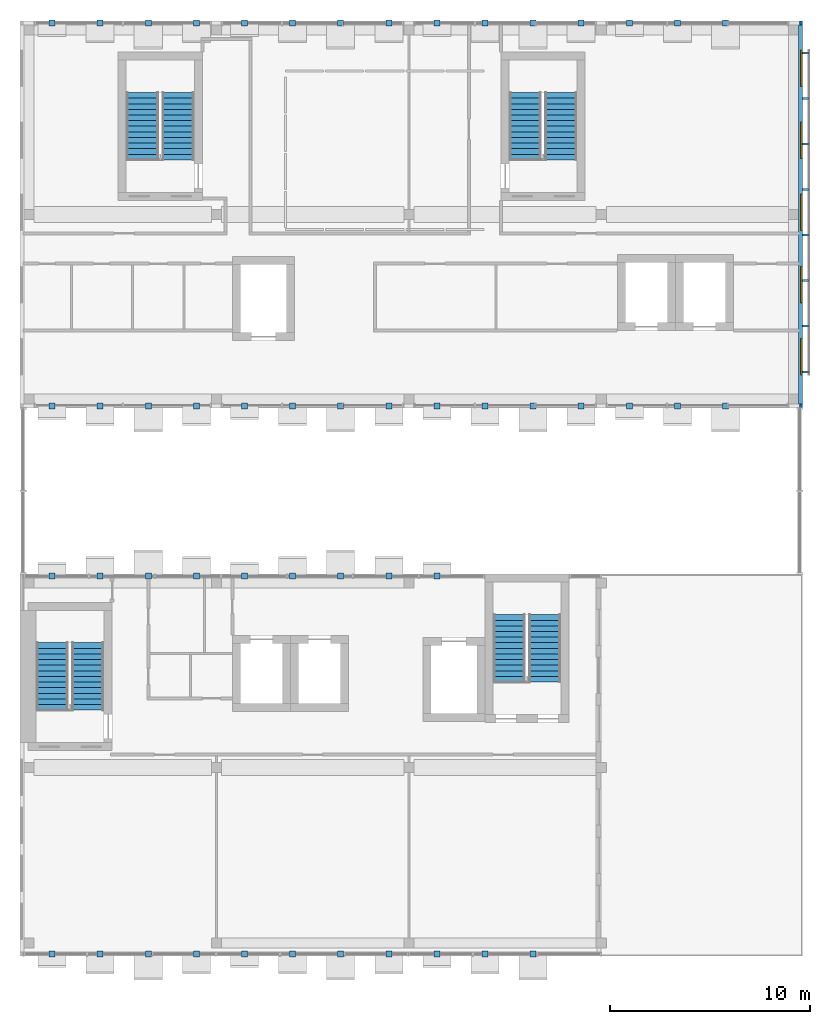
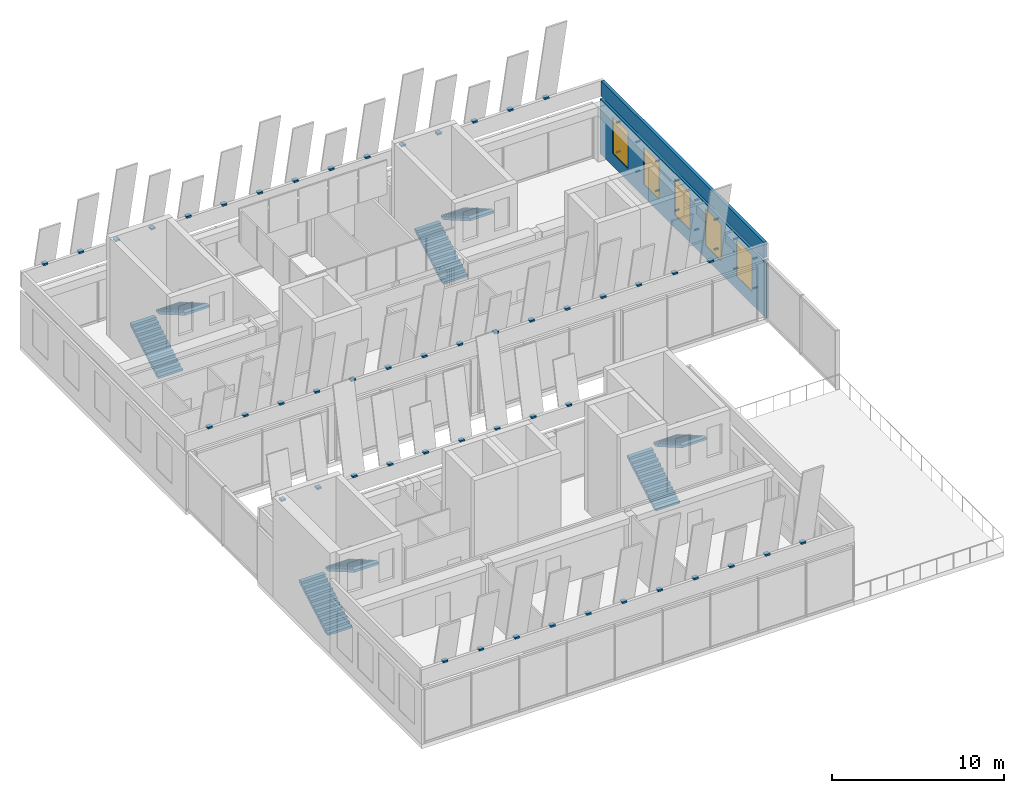
# One storey, part 20 of 26: 66 discrete accessories, 8 stair flights, 5 windows, 2 walls, 5 openings, 4 elements without a shape of their own.
"""IFC4 building model written with IfcOpenShell, lengths in metres."""

from ifc_helpers import new_model, si_unit, direction, frame, frame_2d, origin, origin_2d, place, context, subcontext, project, spatial, polyline, rectangle, outline, extrude, material, layer, layer_set, layer_usage, type_object, element, fill, aggregate, save


model = new_model("IFC4")

# Units and contexts
model_context = context("Model", 3, precision=1e-05, world=origin(), true_north=direction((0.0, 1.0)))
body_context = subcontext(model_context, "Body", "Model", "MODEL_VIEW")
ifc_project = project(units=[si_unit("LENGTHUNIT", "METRE"), si_unit("AREAUNIT", "SQUARE_METRE"), si_unit("VOLUMEUNIT", "CUBIC_METRE"), si_unit("PLANEANGLEUNIT", "RADIAN"), si_unit("MASSUNIT", "GRAM", prefix="KILO")], contexts=[model_context])

# Site, building, storey
site_placement = place(None, origin())
site = spatial("IfcSite", under=ifc_project, at=site_placement, CompositionType="ELEMENT")
building_placement = place(site_placement, origin())
building = spatial("IfcBuilding", under=site, at=building_placement, Name="Nzadi Deep Aquarium and Research Tower", CompositionType="ELEMENT")
storey_placement = place(building_placement, frame((0.0, 0.0, 78.10009765625)))
storey = spatial("IfcBuildingStorey", under=building, at=storey_placement, Name="L16", CompositionType="ELEMENT", Elevation=78.10009765625)

# Wall, openings, windows
ifc_material_1 = material(Name="Graphite aluminium shingle", Category="aluminium")
ifc_layer_1 = layer(ifc_material_1, 0.0400390625, Category="cladding")
ifc_material_2 = material(Name="Concrete C35/45", Category="concrete")
ifc_layer_2 = layer(ifc_material_2, 0.06005859375, Category="cladding")
ifc_material_3 = material(Name="Mineral wool insulation")
ifc_layer_3 = layer(ifc_material_3, 0.050048828125, Category="insulation")
ifc_layer_set_1 = layer_set([ifc_layer_1, ifc_layer_2, ifc_layer_3], Name="Graphite aluminium shingle, Concrete C35/45, Mineral wool insulation")
ifc_layer_usage_1 = layer_usage(ifc_layer_set_1, "AXIS2", "POSITIVE", -0.074951171875)
wall_type_1 = type_object("IfcWallType", Name="End wall shingle over board-formed concrete 150", PredefinedType="ELEMENTEDWALL", material=ifc_layer_set_1)
wall_1_placement = place(storey_placement, frame((38.77490234375, 27.14990234375, 0.0), z_axis=(0.0, 0.0, 1.0), x_axis=(0.0, 1.0, 0.0)))
wall_1 = element("IfcWall", 1, at=wall_1_placement, inside=storey, type_object=wall_type_1, material=ifc_layer_usage_1, Name="End wall blade B east L16", PredefinedType="ELEMENTEDWALL", context=body_context, shape_type="SweptSolid", body=[
    extrude(rectangle(XDim=19.300048828125, YDim=0.14990234375, at=frame_2d((9.64990234375, 0.0))), origin(), (0.0, 0.0, 1.0), 3.89990234375),
])
opening_1_placement = place(wall_1_placement, frame((1.64990234375, 0.0, 0.89990234375)))
opening_1 = element("IfcOpeningElement", 2, at=opening_1_placement, cuts=wall_1, Name="Opening WN01", PredefinedType="OPENING", context=body_context, shape_type="SweptSolid", body=[
    extrude(rectangle(XDim=1.800048828125, YDim=2.60009765625, at=frame_2d((0.89990234375, 1.300048828125))), frame((0.0, 0.0849609375, 0.0), z_axis=(0.0, -1.0, 0.0), x_axis=(1.0, 0.0, 0.0)), (0.0, 0.0, 1.0), 0.169921875),
])
opening_2_placement = place(wall_1_placement, frame((5.25, 0.0, 0.89990234375)))
opening_2 = element("IfcOpeningElement", 3, at=opening_2_placement, cuts=wall_1, Name="Opening WN01", PredefinedType="OPENING", context=body_context, shape_type="SweptSolid", body=[
    extrude(rectangle(XDim=1.800048828125, YDim=2.60009765625, at=frame_2d((0.89990234375, 1.300048828125))), frame((0.0, 0.0849609375, 0.0), z_axis=(0.0, -1.0, 0.0), x_axis=(1.0, 0.0, 0.0)), (0.0, 0.0, 1.0), 0.169921875),
])
opening_3_placement = place(wall_1_placement, frame((8.85009765625, 0.0, 0.89990234375)))
opening_3 = element("IfcOpeningElement", 4, at=opening_3_placement, cuts=wall_1, Name="Opening WN01", PredefinedType="OPENING", context=body_context, shape_type="SweptSolid", body=[
    extrude(rectangle(XDim=1.800048828125, YDim=2.60009765625, at=frame_2d((0.89990234375, 1.300048828125))), frame((0.0, 0.0849609375, 0.0), z_axis=(0.0, -1.0, 0.0), x_axis=(1.0, 0.0, 0.0)), (0.0, 0.0, 1.0), 0.169921875),
])
opening_4_placement = place(wall_1_placement, frame((12.449951171875, 0.0, 0.89990234375)))
opening_4 = element("IfcOpeningElement", 5, at=opening_4_placement, cuts=wall_1, Name="Opening WN01", PredefinedType="OPENING", context=body_context, shape_type="SweptSolid", body=[
    extrude(rectangle(XDim=1.800048828125, YDim=2.60009765625, at=frame_2d((0.89990234375, 1.300048828125))), frame((0.0, 0.0849609375, 0.0), z_axis=(0.0, -1.0, 0.0), x_axis=(1.0, 0.0, 0.0)), (0.0, 0.0, 1.0), 0.169921875),
])
opening_5_placement = place(wall_1_placement, frame((16.050048828125, 0.0, 0.89990234375)))
opening_5 = element("IfcOpeningElement", 6, at=opening_5_placement, cuts=wall_1, Name="Opening WN01", PredefinedType="OPENING", context=body_context, shape_type="SweptSolid", body=[
    extrude(rectangle(XDim=1.800048828125, YDim=2.60009765625, at=frame_2d((0.89990234375, 1.300048828125))), frame((0.0, 0.0849609375, 0.0), z_axis=(0.0, -1.0, 0.0), x_axis=(1.0, 0.0, 0.0)), (0.0, 0.0, 1.0), 0.169921875),
])
ifc_material_4 = material(Name="Aluminium window, sage tint glazing", Category="aluminium")
window_type = type_object("IfcWindowType", Name="Slot window 1800x2600 sill 900", PartitioningType="SINGLE_PANEL", PredefinedType="WINDOW", material=ifc_material_4)
window_1_placement = place(opening_1_placement, origin())
window_1 = element("IfcWindow", 7, at=window_1_placement, inside=storey, type_object=window_type, Name="Slot window L16 BE", OverallHeight=2.60009765625, OverallWidth=1.800048828125, PartitioningType="SINGLE_PANEL", PredefinedType="WINDOW", context=body_context, shape_type="SweptSolid", body=[
    extrude(rectangle(XDim=1.800048828125, YDim=2.60009765625, at=frame_2d((0.89990234375, 1.300048828125))), frame((0.0, 0.030029296875, 0.0), z_axis=(0.0, -1.0, 0.0), x_axis=(1.0, 0.0, 0.0)), (0.0, 0.0, 1.0), 0.06005859375),
])
fill(opening_1, window_1)
window_2_placement = place(opening_2_placement, origin())
window_2 = element("IfcWindow", 8, at=window_2_placement, inside=storey, type_object=window_type, Name="Slot window L16 BE", OverallHeight=2.60009765625, OverallWidth=1.800048828125, PartitioningType="SINGLE_PANEL", PredefinedType="WINDOW", context=body_context, shape_type="SweptSolid", body=[
    extrude(rectangle(XDim=1.800048828125, YDim=2.60009765625, at=frame_2d((0.89990234375, 1.300048828125))), frame((0.0, 0.030029296875, 0.0), z_axis=(0.0, -1.0, 0.0), x_axis=(1.0, 0.0, 0.0)), (0.0, 0.0, 1.0), 0.06005859375),
])
fill(opening_2, window_2)
window_3_placement = place(opening_3_placement, origin())
window_3 = element("IfcWindow", 9, at=window_3_placement, inside=storey, type_object=window_type, Name="Slot window L16 BE", OverallHeight=2.60009765625, OverallWidth=1.800048828125, PartitioningType="SINGLE_PANEL", PredefinedType="WINDOW", context=body_context, shape_type="SweptSolid", body=[
    extrude(rectangle(XDim=1.800048828125, YDim=2.60009765625, at=frame_2d((0.89990234375, 1.300048828125))), frame((0.0, 0.030029296875, 0.0), z_axis=(0.0, -1.0, 0.0), x_axis=(1.0, 0.0, 0.0)), (0.0, 0.0, 1.0), 0.06005859375),
])
fill(opening_3, window_3)
window_4_placement = place(opening_4_placement, origin())
window_4 = element("IfcWindow", 10, at=window_4_placement, inside=storey, type_object=window_type, Name="Slot window L16 BE", OverallHeight=2.60009765625, OverallWidth=1.800048828125, PartitioningType="SINGLE_PANEL", PredefinedType="WINDOW", context=body_context, shape_type="SweptSolid", body=[
    extrude(rectangle(XDim=1.800048828125, YDim=2.60009765625, at=frame_2d((0.89990234375, 1.300048828125))), frame((0.0, 0.030029296875, 0.0), z_axis=(0.0, -1.0, 0.0), x_axis=(1.0, 0.0, 0.0)), (0.0, 0.0, 1.0), 0.06005859375),
])
fill(opening_4, window_4)
window_5_placement = place(opening_5_placement, origin())
window_5 = element("IfcWindow", 11, at=window_5_placement, inside=storey, type_object=window_type, Name="Slot window L16 BE", OverallHeight=2.60009765625, OverallWidth=1.800048828125, PartitioningType="SINGLE_PANEL", PredefinedType="WINDOW", context=body_context, shape_type="SweptSolid", body=[
    extrude(rectangle(XDim=1.800048828125, YDim=2.60009765625, at=frame_2d((0.89990234375, 1.300048828125))), frame((0.0, 0.030029296875, 0.0), z_axis=(0.0, -1.0, 0.0), x_axis=(1.0, 0.0, 0.0)), (0.0, 0.0, 1.0), 0.06005859375),
])
fill(opening_5, window_5)

# Wall
ifc_layer_4 = layer(ifc_material_1, 0.050048828125, Category="cladding")
ifc_layer_5 = layer(ifc_material_2, 0.14990234375, Category="structure")
ifc_layer_set_2 = layer_set([ifc_layer_4, ifc_layer_5], Name="Graphite aluminium shingle, Concrete C35/45")
ifc_layer_usage_2 = layer_usage(ifc_layer_set_2, "AXIS2", "POSITIVE", -0.0999755859375)
wall_type_2 = type_object("IfcWallType", Name="Parapet board-formed concrete 200 tower roof", PredefinedType="PARAPET", material=ifc_layer_set_2)
wall_2_placement = place(storey_placement, frame((38.75, 27.35009765625, 4.199951171875), z_axis=(0.0, 0.0, 1.0), x_axis=(0.0, 1.0, 0.0)))
element("IfcWall", 12, at=wall_2_placement, inside=storey, type_object=wall_type_2, material=ifc_layer_usage_2, Name="Parapet", PredefinedType="PARAPET", context=body_context, shape_type="SweptSolid", body=[
    extrude(rectangle(XDim=18.89990234375, YDim=0.199951171875, at=frame_2d((9.449951171875, 0.0))), origin(), (0.0, 0.0, 1.0), 1.099853515625),
])

# Stair, stair flights
ifc_material_5 = material(Name="Concrete C35/45", Category="concrete")
stair_type = type_object("IfcStairType", Name="STAIR RETURN 3000", PredefinedType="NOTDEFINED", material=ifc_material_5)
stair_1_placement = place(storey_placement, origin())
stair_1 = element("IfcStair", 13, at=stair_1_placement, inside=storey, type_object=stair_type, Name="Stair ST-Z1-SW L16", PredefinedType="HALF_TURN_STAIR")
ifc_material_6 = material(Name="Concrete C35/45", Category="concrete")
stair_flight_type = type_object("IfcStairFlightType", Name="FLIGHT 1625 13 RISERS 161.5 GOING 280", PredefinedType="STRAIGHT", material=ifc_material_6)
stair_flight_1_placement = place(storey_placement, frame((1.41259765625, 12.070068359375, 0.0), z_axis=(0.0, 0.0, 1.0), x_axis=(0.0, 1.0, 0.0)))
stair_flight_1 = element("IfcStairFlight", 14, at=stair_flight_1_placement, type_object=stair_flight_type, Name="ST-Z1-SW flight 1", NumberOfRisers=13, NumberOfTreads=12, PredefinedType="STRAIGHT", RiserHeight=0.161538462, TreadLength=0.28, context=body_context, shape_type="SweptSolid", body=[
    extrude(outline(polyline([(0.0, 0.0), (0.0, 0.16162109375), (0.280029296875, 0.16162109375), (0.280029296875, 0.322998046875), (0.56005859375, 0.322998046875), (0.56005859375, 0.484619140625), (0.840087890625, 0.484619140625), (0.840087890625, 0.646240234375), (1.1201171875, 0.646240234375), (1.1201171875, 0.8076171875), (1.39990234375, 0.8076171875), (1.39990234375, 0.96923828125), (1.679931640625, 0.96923828125), (1.679931640625, 1.130859375), (1.9599609375, 1.130859375), (1.9599609375, 1.292236328125), (2.239990234375, 1.292236328125), (2.239990234375, 1.453857421875), (2.52001953125, 1.453857421875), (2.52001953125, 1.615478515625), (2.800048828125, 1.615478515625), (2.800048828125, 1.77685546875), (3.080078125, 1.77685546875), (3.080078125, 1.9384765625), (3.360107421875, 1.9384765625), (3.360107421875, 2.10009765625), (3.360107421875, 1.765380859375), (0.300048828125, 0.0), (0.0, 0.0)])), frame((0.0, 0.8125, 0.0), z_axis=(0.0, -1.0, 0.0), x_axis=(1.0, 0.0, 0.0)), (0.0, 0.0, 1.0), 1.625),
])
stair_flight_2_placement = place(storey_placement, frame((3.1875, 15.429931640625, 2.099853515625), z_axis=(0.0, 0.0, 1.0), x_axis=(0.0, -1.0, 0.0)))
stair_flight_2 = element("IfcStairFlight", 15, at=stair_flight_2_placement, type_object=stair_flight_type, Name="ST-Z1-SW flight 2", NumberOfRisers=13, NumberOfTreads=12, PredefinedType="STRAIGHT", RiserHeight=0.161538462, TreadLength=0.28, context=body_context, shape_type="SweptSolid", body=[
    extrude(outline(polyline([(0.0, 0.0), (0.0, 0.16162109375), (0.280029296875, 0.16162109375), (0.280029296875, 0.322998046875), (0.56005859375, 0.322998046875), (0.56005859375, 0.484619140625), (0.840087890625, 0.484619140625), (0.840087890625, 0.646240234375), (1.1201171875, 0.646240234375), (1.1201171875, 0.8076171875), (1.39990234375, 0.8076171875), (1.39990234375, 0.96923828125), (1.679931640625, 0.96923828125), (1.679931640625, 1.130859375), (1.9599609375, 1.130859375), (1.9599609375, 1.292236328125), (2.239990234375, 1.292236328125), (2.239990234375, 1.453857421875), (2.52001953125, 1.453857421875), (2.52001953125, 1.615478515625), (2.800048828125, 1.615478515625), (2.800048828125, 1.77685546875), (3.080078125, 1.77685546875), (3.080078125, 1.9384765625), (3.360107421875, 1.9384765625), (3.360107421875, 2.10009765625), (3.360107421875, 1.765380859375), (0.300048828125, 0.0), (0.0, 0.0)])), frame((0.0, 0.8125, 0.0), z_axis=(0.0, -1.0, 0.0), x_axis=(1.0, 0.0, 0.0)), (0.0, 0.0, 1.0), 1.625),
])
aggregate(stair_1, [stair_flight_1, stair_flight_2])

stair_2_placement = place(storey_placement, origin())
stair_2 = element("IfcStair", 16, at=stair_2_placement, inside=storey, type_object=stair_type, Name="Stair ST-Z1-SE L16", PredefinedType="HALF_TURN_STAIR")
stair_flight_3_placement = place(storey_placement, frame((24.21240234375, 13.469970703125, 0.0), z_axis=(0.0, 0.0, 1.0), x_axis=(0.0, 1.0, 0.0)))
stair_flight_3 = element("IfcStairFlight", 17, at=stair_flight_3_placement, type_object=stair_flight_type, Name="ST-Z1-SE flight 1", NumberOfRisers=13, NumberOfTreads=12, PredefinedType="STRAIGHT", RiserHeight=0.161538462, TreadLength=0.28, context=body_context, shape_type="SweptSolid", body=[
    extrude(outline(polyline([(0.0, 0.0), (0.0, 0.16162109375), (0.280029296875, 0.16162109375), (0.280029296875, 0.322998046875), (0.56005859375, 0.322998046875), (0.56005859375, 0.484619140625), (0.840087890625, 0.484619140625), (0.840087890625, 0.646240234375), (1.1201171875, 0.646240234375), (1.1201171875, 0.8076171875), (1.39990234375, 0.8076171875), (1.39990234375, 0.96923828125), (1.679931640625, 0.96923828125), (1.679931640625, 1.130859375), (1.9599609375, 1.130859375), (1.9599609375, 1.292236328125), (2.239990234375, 1.292236328125), (2.239990234375, 1.453857421875), (2.52001953125, 1.453857421875), (2.52001953125, 1.615478515625), (2.800048828125, 1.615478515625), (2.800048828125, 1.77685546875), (3.080078125, 1.77685546875), (3.080078125, 1.9384765625), (3.360107421875, 1.9384765625), (3.360107421875, 2.10009765625), (3.360107421875, 1.765380859375), (0.300048828125, 0.0), (0.0, 0.0)])), frame((0.0, 0.8125, 0.0), z_axis=(0.0, -1.0, 0.0), x_axis=(1.0, 0.0, 0.0)), (0.0, 0.0, 1.0), 1.625),
])
stair_flight_4_placement = place(storey_placement, frame((25.987548828125, 16.830078125, 2.099853515625), z_axis=(0.0, 0.0, 1.0), x_axis=(0.0, -1.0, 0.0)))
stair_flight_4 = element("IfcStairFlight", 18, at=stair_flight_4_placement, type_object=stair_flight_type, Name="ST-Z1-SE flight 2", NumberOfRisers=13, NumberOfTreads=12, PredefinedType="STRAIGHT", RiserHeight=0.161538462, TreadLength=0.28, context=body_context, shape_type="SweptSolid", body=[
    extrude(outline(polyline([(0.0, 0.0), (0.0, 0.16162109375), (0.280029296875, 0.16162109375), (0.280029296875, 0.322998046875), (0.56005859375, 0.322998046875), (0.56005859375, 0.484619140625), (0.840087890625, 0.484619140625), (0.840087890625, 0.646240234375), (1.1201171875, 0.646240234375), (1.1201171875, 0.8076171875), (1.39990234375, 0.8076171875), (1.39990234375, 0.96923828125), (1.679931640625, 0.96923828125), (1.679931640625, 1.130859375), (1.9599609375, 1.130859375), (1.9599609375, 1.292236328125), (2.239990234375, 1.292236328125), (2.239990234375, 1.453857421875), (2.52001953125, 1.453857421875), (2.52001953125, 1.615478515625), (2.800048828125, 1.615478515625), (2.800048828125, 1.77685546875), (3.080078125, 1.77685546875), (3.080078125, 1.9384765625), (3.360107421875, 1.9384765625), (3.360107421875, 2.10009765625), (3.360107421875, 1.765380859375), (0.300048828125, 0.0), (0.0, 0.0)])), frame((0.0, 0.8125, 0.0), z_axis=(0.0, -1.0, 0.0), x_axis=(1.0, 0.0, 0.0)), (0.0, 0.0, 1.0), 1.625),
])
aggregate(stair_2, [stair_flight_3, stair_flight_4])

stair_3_placement = place(storey_placement, origin())
stair_3 = element("IfcStair", 19, at=stair_3_placement, inside=storey, type_object=stair_type, Name="Stair ST-Z1-NW L16", PredefinedType="HALF_TURN_STAIR")
stair_flight_5_placement = place(storey_placement, frame((5.91259765625, 39.52001953125, 0.0), z_axis=(0.0, 0.0, 1.0), x_axis=(0.0, 1.0, 0.0)))
stair_flight_5 = element("IfcStairFlight", 20, at=stair_flight_5_placement, type_object=stair_flight_type, Name="ST-Z1-NW flight 1", NumberOfRisers=13, NumberOfTreads=12, PredefinedType="STRAIGHT", RiserHeight=0.161538462, TreadLength=0.28, context=body_context, shape_type="SweptSolid", body=[
    extrude(outline(polyline([(0.0, 0.0), (0.0, 0.16162109375), (0.280029296875, 0.16162109375), (0.280029296875, 0.322998046875), (0.56005859375, 0.322998046875), (0.56005859375, 0.484619140625), (0.840087890625, 0.484619140625), (0.840087890625, 0.646240234375), (1.1201171875, 0.646240234375), (1.1201171875, 0.8076171875), (1.39990234375, 0.8076171875), (1.39990234375, 0.96923828125), (1.679931640625, 0.96923828125), (1.679931640625, 1.130859375), (1.9599609375, 1.130859375), (1.9599609375, 1.292236328125), (2.239990234375, 1.292236328125), (2.239990234375, 1.453857421875), (2.52001953125, 1.453857421875), (2.52001953125, 1.615478515625), (2.800048828125, 1.615478515625), (2.800048828125, 1.77685546875), (3.080078125, 1.77685546875), (3.080078125, 1.9384765625), (3.360107421875, 1.9384765625), (3.360107421875, 2.10009765625), (3.360107421875, 1.765380859375), (0.300048828125, 0.0), (0.0, 0.0)])), frame((0.0, 0.8125, 0.0), z_axis=(0.0, -1.0, 0.0), x_axis=(1.0, 0.0, 0.0)), (0.0, 0.0, 1.0), 1.625),
])
stair_flight_6_placement = place(storey_placement, frame((7.6875, 42.8798828125, 2.099853515625), z_axis=(0.0, 0.0, 1.0), x_axis=(0.0, -1.0, 0.0)))
stair_flight_6 = element("IfcStairFlight", 21, at=stair_flight_6_placement, type_object=stair_flight_type, Name="ST-Z1-NW flight 2", NumberOfRisers=13, NumberOfTreads=12, PredefinedType="STRAIGHT", RiserHeight=0.161538462, TreadLength=0.28, context=body_context, shape_type="SweptSolid", body=[
    extrude(outline(polyline([(0.0, 0.0), (0.0, 0.16162109375), (0.280029296875, 0.16162109375), (0.280029296875, 0.322998046875), (0.56005859375, 0.322998046875), (0.56005859375, 0.484619140625), (0.840087890625, 0.484619140625), (0.840087890625, 0.646240234375), (1.1201171875, 0.646240234375), (1.1201171875, 0.8076171875), (1.39990234375, 0.8076171875), (1.39990234375, 0.96923828125), (1.679931640625, 0.96923828125), (1.679931640625, 1.130859375), (1.9599609375, 1.130859375), (1.9599609375, 1.292236328125), (2.239990234375, 1.292236328125), (2.239990234375, 1.453857421875), (2.52001953125, 1.453857421875), (2.52001953125, 1.615478515625), (2.800048828125, 1.615478515625), (2.800048828125, 1.77685546875), (3.080078125, 1.77685546875), (3.080078125, 1.9384765625), (3.360107421875, 1.9384765625), (3.360107421875, 2.10009765625), (3.360107421875, 1.765380859375), (0.300048828125, 0.0), (0.0, 0.0)])), frame((0.0, 0.8125, 0.0), z_axis=(0.0, -1.0, 0.0), x_axis=(1.0, 0.0, 0.0)), (0.0, 0.0, 1.0), 1.625),
])
aggregate(stair_3, [stair_flight_5, stair_flight_6])

stair_4_placement = place(storey_placement, origin())
stair_4 = element("IfcStair", 22, at=stair_4_placement, inside=storey, type_object=stair_type, Name="Stair ST-Z1-NE L16", PredefinedType="HALF_TURN_STAIR")
stair_flight_7_placement = place(storey_placement, frame((25.012451171875, 39.52001953125, 0.0), z_axis=(0.0, 0.0, 1.0), x_axis=(0.0, 1.0, 0.0)))
stair_flight_7 = element("IfcStairFlight", 23, at=stair_flight_7_placement, type_object=stair_flight_type, Name="ST-Z1-NE flight 1", NumberOfRisers=13, NumberOfTreads=12, PredefinedType="STRAIGHT", RiserHeight=0.161538462, TreadLength=0.28, context=body_context, shape_type="SweptSolid", body=[
    extrude(outline(polyline([(0.0, 0.0), (0.0, 0.16162109375), (0.280029296875, 0.16162109375), (0.280029296875, 0.322998046875), (0.56005859375, 0.322998046875), (0.56005859375, 0.484619140625), (0.840087890625, 0.484619140625), (0.840087890625, 0.646240234375), (1.1201171875, 0.646240234375), (1.1201171875, 0.8076171875), (1.39990234375, 0.8076171875), (1.39990234375, 0.96923828125), (1.679931640625, 0.96923828125), (1.679931640625, 1.130859375), (1.9599609375, 1.130859375), (1.9599609375, 1.292236328125), (2.239990234375, 1.292236328125), (2.239990234375, 1.453857421875), (2.52001953125, 1.453857421875), (2.52001953125, 1.615478515625), (2.800048828125, 1.615478515625), (2.800048828125, 1.77685546875), (3.080078125, 1.77685546875), (3.080078125, 1.9384765625), (3.360107421875, 1.9384765625), (3.360107421875, 2.10009765625), (3.360107421875, 1.765380859375), (0.300048828125, 0.0), (0.0, 0.0)])), frame((0.0, 0.8125, 0.0), z_axis=(0.0, -1.0, 0.0), x_axis=(1.0, 0.0, 0.0)), (0.0, 0.0, 1.0), 1.625),
])
stair_flight_8_placement = place(storey_placement, frame((26.78759765625, 42.8798828125, 2.099853515625), z_axis=(0.0, 0.0, 1.0), x_axis=(0.0, -1.0, 0.0)))
stair_flight_8 = element("IfcStairFlight", 24, at=stair_flight_8_placement, type_object=stair_flight_type, Name="ST-Z1-NE flight 2", NumberOfRisers=13, NumberOfTreads=12, PredefinedType="STRAIGHT", RiserHeight=0.161538462, TreadLength=0.28, context=body_context, shape_type="SweptSolid", body=[
    extrude(outline(polyline([(0.0, 0.0), (0.0, 0.16162109375), (0.280029296875, 0.16162109375), (0.280029296875, 0.322998046875), (0.56005859375, 0.322998046875), (0.56005859375, 0.484619140625), (0.840087890625, 0.484619140625), (0.840087890625, 0.646240234375), (1.1201171875, 0.646240234375), (1.1201171875, 0.8076171875), (1.39990234375, 0.8076171875), (1.39990234375, 0.96923828125), (1.679931640625, 0.96923828125), (1.679931640625, 1.130859375), (1.9599609375, 1.130859375), (1.9599609375, 1.292236328125), (2.239990234375, 1.292236328125), (2.239990234375, 1.453857421875), (2.52001953125, 1.453857421875), (2.52001953125, 1.615478515625), (2.800048828125, 1.615478515625), (2.800048828125, 1.77685546875), (3.080078125, 1.77685546875), (3.080078125, 1.9384765625), (3.360107421875, 1.9384765625), (3.360107421875, 2.10009765625), (3.360107421875, 1.765380859375), (0.300048828125, 0.0), (0.0, 0.0)])), frame((0.0, 0.8125, 0.0), z_axis=(0.0, -1.0, 0.0), x_axis=(1.0, 0.0, 0.0)), (0.0, 0.0, 1.0), 1.625),
])
aggregate(stair_4, [stair_flight_7, stair_flight_8])

# Discrete accessories
for number, where, z_axis, x_axis, name in (
    (25, (39.0, 28.949951171875, 0.949951171875), (0.0, 0.0, 1.0), (1.0, 0.0, 0.0), "Screen bracket L16"),
    (26, (39.0, 28.949951171875, 3.0498046875), (0.0, 0.0, 1.0), (1.0, 0.0, 0.0), "Screen bracket L16"),
    (27, (39.0, 31.221435546875, 0.949951171875), (0.0, 0.0, 1.0), (1.0, 0.0, 0.0), "Screen bracket L16"),
    (28, (39.0, 31.221435546875, 3.0498046875), (0.0, 0.0, 1.0), (1.0, 0.0, 0.0), "Screen bracket L16"),
    (29, (39.0, 33.492919921875, 0.949951171875), (0.0, 0.0, 1.0), (1.0, 0.0, 0.0), "Screen bracket L16"),
    (30, (39.0, 33.492919921875, 3.0498046875), (0.0, 0.0, 1.0), (1.0, 0.0, 0.0), "Screen bracket L16"),
    (31, (39.0, 35.764404296875, 0.949951171875), (0.0, 0.0, 1.0), (1.0, 0.0, 0.0), "Screen bracket L16"),
    (32, (39.0, 35.764404296875, 3.0498046875), (0.0, 0.0, 1.0), (1.0, 0.0, 0.0), "Screen bracket L16"),
    (33, (39.0, 38.03564453125, 0.949951171875), (0.0, 0.0, 1.0), (1.0, 0.0, 0.0), "Screen bracket L16"),
    (34, (39.0, 38.03564453125, 3.0498046875), (0.0, 0.0, 1.0), (1.0, 0.0, 0.0), "Screen bracket L16"),
    (35, (39.0, 40.30712890625, 0.949951171875), (0.0, 0.0, 1.0), (1.0, 0.0, 0.0), "Screen bracket L16"),
    (36, (39.0, 40.30712890625, 3.0498046875), (0.0, 0.0, 1.0), (1.0, 0.0, 0.0), "Screen bracket L16"),
    (37, (39.0, 42.57861328125, 0.949951171875), (0.0, 0.0, 1.0), (1.0, 0.0, 0.0), "Screen bracket L16"),
    (38, (39.0, 42.57861328125, 3.0498046875), (0.0, 0.0, 1.0), (1.0, 0.0, 0.0), "Screen bracket L16"),
    (39, (39.0, 44.85009765625, 0.949951171875), (0.0, 0.0, 1.0), (1.0, 0.0, 0.0), "Screen bracket L16"),
    (40, (39.0, 44.85009765625, 3.0498046875), (0.0, 0.0, 1.0), (1.0, 0.0, 0.0), "Screen bracket L16"),
):
    element("IfcDiscreteAccessory", number, at=place(storey_placement, frame(where, z_axis=z_axis, x_axis=x_axis)), inside=storey, Name=name, PredefinedType="BRACKET", context=body_context, shape_type="SweptSolid", body=[
        extrude(rectangle(XDim=0.300048828125, YDim=0.10009765625, at=origin_2d()), origin(), (0.0, 0.0, 1.0), 0.10009765625),
    ])
for number, where, z_axis, x_axis, name in (
    (41, (1.39990234375, -0.10009765625, 5.2998046875), (0.0, 0.0, 1.0), (1.0, 0.0, 0.0), "Crown fin seat bracket"),
    (42, (3.800048828125, -0.10009765625, 5.2998046875), (0.0, 0.0, 1.0), (1.0, 0.0, 0.0), "Crown fin seat bracket"),
    (43, (6.199951171875, -0.10009765625, 5.2998046875), (0.0, 0.0, 1.0), (1.0, 0.0, 0.0), "Crown fin seat bracket"),
    (44, (8.60009765625, -0.10009765625, 5.2998046875), (0.0, 0.0, 1.0), (1.0, 0.0, 0.0), "Crown fin seat bracket"),
    (45, (11.0, -0.10009765625, 5.2998046875), (0.0, 0.0, 1.0), (1.0, 0.0, 0.0), "Crown fin seat bracket"),
    (46, (13.39990234375, -0.10009765625, 5.2998046875), (0.0, 0.0, 1.0), (1.0, 0.0, 0.0), "Crown fin seat bracket"),
    (47, (15.800048828125, -0.10009765625, 5.2998046875), (0.0, 0.0, 1.0), (1.0, 0.0, 0.0), "Crown fin seat bracket"),
    (48, (18.199951171875, -0.10009765625, 5.2998046875), (0.0, 0.0, 1.0), (1.0, 0.0, 0.0), "Crown fin seat bracket"),
    (49, (20.60009765625, -0.10009765625, 5.2998046875), (0.0, 0.0, 1.0), (1.0, 0.0, 0.0), "Crown fin seat bracket"),
    (50, (23.0, -0.10009765625, 5.2998046875), (0.0, 0.0, 1.0), (1.0, 0.0, 0.0), "Crown fin seat bracket"),
    (51, (25.39990234375, -0.10009765625, 5.2998046875), (0.0, 0.0, 1.0), (1.0, 0.0, 0.0), "Crown fin seat bracket"),
    (52, (1.39990234375, 18.75, 5.2998046875), (0.0, 0.0, 1.0), (1.0, 0.0, 0.0), "Crown fin seat bracket"),
    (53, (3.800048828125, 18.75, 5.2998046875), (0.0, 0.0, 1.0), (1.0, 0.0, 0.0), "Crown fin seat bracket"),
    (54, (6.199951171875, 18.75, 5.2998046875), (0.0, 0.0, 1.0), (1.0, 0.0, 0.0), "Crown fin seat bracket"),
    (55, (8.60009765625, 18.75, 5.2998046875), (0.0, 0.0, 1.0), (1.0, 0.0, 0.0), "Crown fin seat bracket"),
    (56, (11.0, 18.75, 5.2998046875), (0.0, 0.0, 1.0), (1.0, 0.0, 0.0), "Crown fin seat bracket"),
    (57, (13.39990234375, 18.75, 5.2998046875), (0.0, 0.0, 1.0), (1.0, 0.0, 0.0), "Crown fin seat bracket"),
    (58, (15.800048828125, 18.75, 5.2998046875), (0.0, 0.0, 1.0), (1.0, 0.0, 0.0), "Crown fin seat bracket"),
    (59, (18.199951171875, 18.75, 5.2998046875), (0.0, 0.0, 1.0), (1.0, 0.0, 0.0), "Crown fin seat bracket"),
    (60, (20.60009765625, 18.75, 5.2998046875), (0.0, 0.0, 1.0), (1.0, 0.0, 0.0), "Crown fin seat bracket"),
    (61, (1.39990234375, 27.25, 5.2998046875), (0.0, 0.0, 1.0), (1.0, 0.0, 0.0), "Crown fin seat bracket"),
    (62, (3.800048828125, 27.25, 5.2998046875), (0.0, 0.0, 1.0), (1.0, 0.0, 0.0), "Crown fin seat bracket"),
    (63, (6.199951171875, 27.25, 5.2998046875), (0.0, 0.0, 1.0), (1.0, 0.0, 0.0), "Crown fin seat bracket"),
    (64, (8.60009765625, 27.25, 5.2998046875), (0.0, 0.0, 1.0), (1.0, 0.0, 0.0), "Crown fin seat bracket"),
    (65, (11.0, 27.25, 5.2998046875), (0.0, 0.0, 1.0), (1.0, 0.0, 0.0), "Crown fin seat bracket"),
    (66, (13.39990234375, 27.25, 5.2998046875), (0.0, 0.0, 1.0), (1.0, 0.0, 0.0), "Crown fin seat bracket"),
    (67, (15.800048828125, 27.25, 5.2998046875), (0.0, 0.0, 1.0), (1.0, 0.0, 0.0), "Crown fin seat bracket"),
    (68, (18.199951171875, 27.25, 5.2998046875), (0.0, 0.0, 1.0), (1.0, 0.0, 0.0), "Crown fin seat bracket"),
    (69, (20.60009765625, 27.25, 5.2998046875), (0.0, 0.0, 1.0), (1.0, 0.0, 0.0), "Crown fin seat bracket"),
    (70, (23.0, 27.25, 5.2998046875), (0.0, 0.0, 1.0), (1.0, 0.0, 0.0), "Crown fin seat bracket"),
    (71, (25.39990234375, 27.25, 5.2998046875), (0.0, 0.0, 1.0), (1.0, 0.0, 0.0), "Crown fin seat bracket"),
    (72, (27.800048828125, 27.25, 5.2998046875), (0.0, 0.0, 1.0), (1.0, 0.0, 0.0), "Crown fin seat bracket"),
    (73, (30.199951171875, 27.25, 5.2998046875), (0.0, 0.0, 1.0), (1.0, 0.0, 0.0), "Crown fin seat bracket"),
    (74, (32.60009765625, 27.25, 5.2998046875), (0.0, 0.0, 1.0), (1.0, 0.0, 0.0), "Crown fin seat bracket"),
    (75, (35.0, 27.25, 5.2998046875), (0.0, 0.0, 1.0), (1.0, 0.0, 0.0), "Crown fin seat bracket"),
    (76, (1.39990234375, 46.35009765625, 5.2998046875), (0.0, 0.0, 1.0), (1.0, 0.0, 0.0), "Crown fin seat bracket"),
    (77, (3.800048828125, 46.35009765625, 5.2998046875), (0.0, 0.0, 1.0), (1.0, 0.0, 0.0), "Crown fin seat bracket"),
    (78, (6.199951171875, 46.35009765625, 5.2998046875), (0.0, 0.0, 1.0), (1.0, 0.0, 0.0), "Crown fin seat bracket"),
    (79, (8.60009765625, 46.35009765625, 5.2998046875), (0.0, 0.0, 1.0), (1.0, 0.0, 0.0), "Crown fin seat bracket"),
    (80, (11.0, 46.35009765625, 5.2998046875), (0.0, 0.0, 1.0), (1.0, 0.0, 0.0), "Crown fin seat bracket"),
    (81, (13.39990234375, 46.35009765625, 5.2998046875), (0.0, 0.0, 1.0), (1.0, 0.0, 0.0), "Crown fin seat bracket"),
    (82, (15.800048828125, 46.35009765625, 5.2998046875), (0.0, 0.0, 1.0), (1.0, 0.0, 0.0), "Crown fin seat bracket"),
    (83, (18.199951171875, 46.35009765625, 5.2998046875), (0.0, 0.0, 1.0), (1.0, 0.0, 0.0), "Crown fin seat bracket"),
    (84, (20.60009765625, 46.35009765625, 5.2998046875), (0.0, 0.0, 1.0), (1.0, 0.0, 0.0), "Crown fin seat bracket"),
    (85, (23.0, 46.35009765625, 5.2998046875), (0.0, 0.0, 1.0), (1.0, 0.0, 0.0), "Crown fin seat bracket"),
    (86, (25.39990234375, 46.35009765625, 5.2998046875), (0.0, 0.0, 1.0), (1.0, 0.0, 0.0), "Crown fin seat bracket"),
    (87, (27.800048828125, 46.35009765625, 5.2998046875), (0.0, 0.0, 1.0), (1.0, 0.0, 0.0), "Crown fin seat bracket"),
    (88, (30.199951171875, 46.35009765625, 5.2998046875), (0.0, 0.0, 1.0), (1.0, 0.0, 0.0), "Crown fin seat bracket"),
    (89, (32.60009765625, 46.35009765625, 5.2998046875), (0.0, 0.0, 1.0), (1.0, 0.0, 0.0), "Crown fin seat bracket"),
    (90, (35.0, 46.35009765625, 5.2998046875), (0.0, 0.0, 1.0), (1.0, 0.0, 0.0), "Crown fin seat bracket"),
):
    element("IfcDiscreteAccessory", number, at=place(storey_placement, frame(where, z_axis=z_axis, x_axis=x_axis)), inside=storey, Name=name, PredefinedType="BRACKET", context=body_context, shape_type="SweptSolid", body=[
        extrude(rectangle(XDim=0.300048828125, YDim=0.300048828125, at=origin_2d()), origin(), (0.0, 0.0, 1.0), 0.1201171875),
    ])

save(model, "model.ifc")
